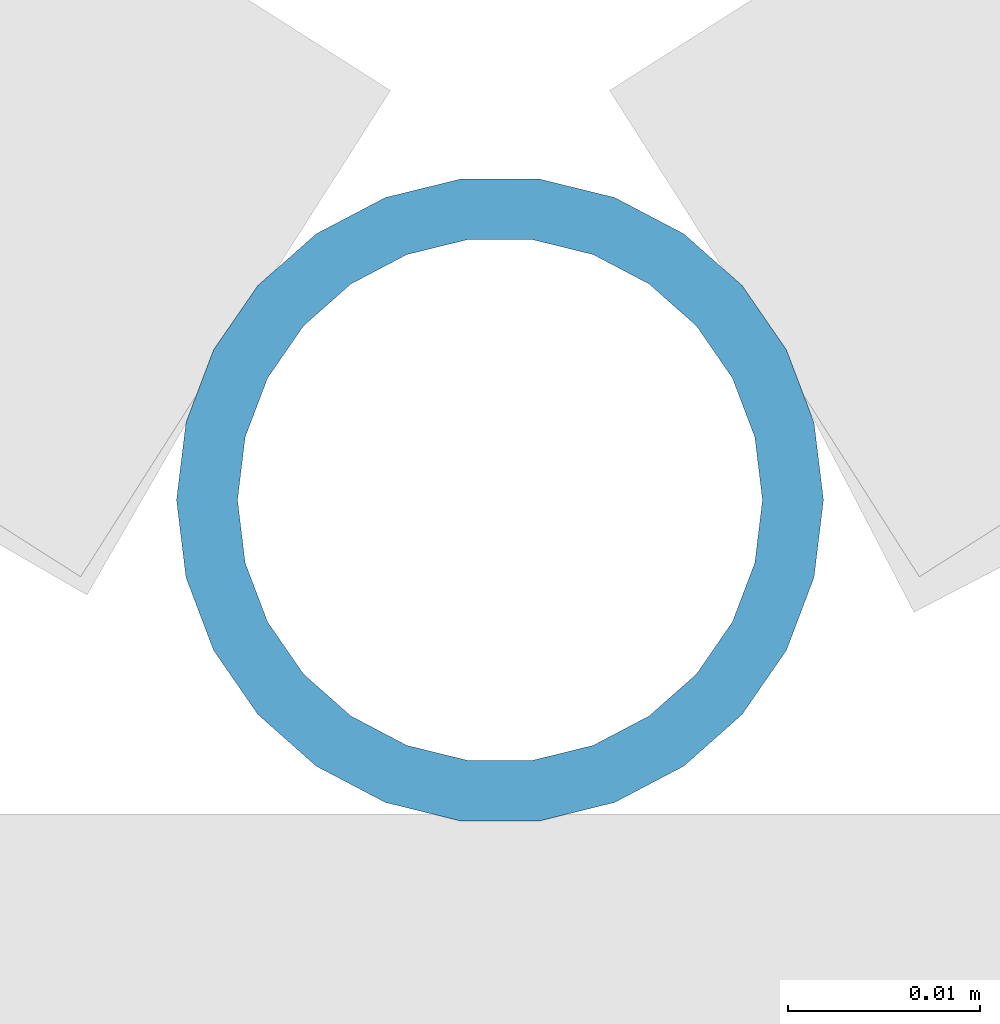
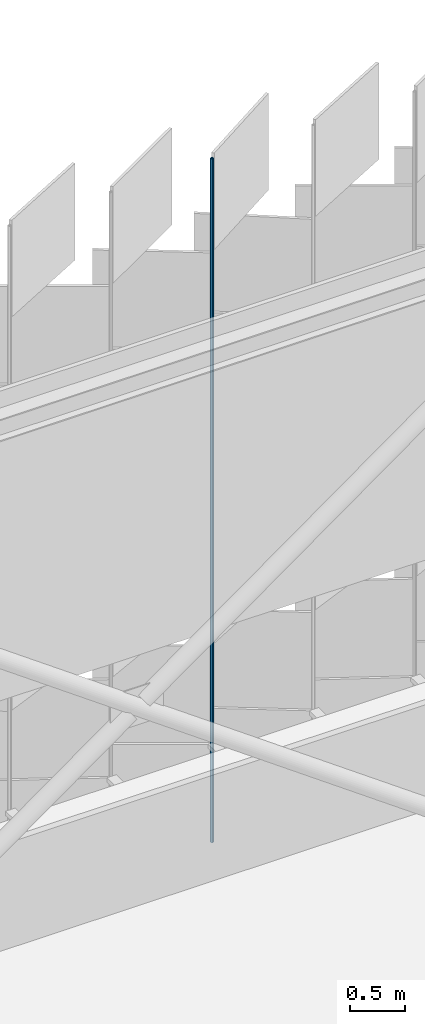
# One storey, part 373 of 483: 1 discrete accessory.
"""IFC4 building model written with IfcOpenShell, lengths in metres."""

from ifc_helpers import new_model, si_unit, direction, frame, origin, origin_2d, place, context, subcontext, project, spatial, hollow_circle, extrude, material, material_profile, profile_set, type_object, element, save


model = new_model("IFC4")

# Units and contexts
model_context = context("Model", 3, precision=1e-05, world=origin(), true_north=direction((0.0, 1.0)))
body_context = subcontext(model_context, "Body", "Model", "MODEL_VIEW")
ifc_project = project(units=[si_unit("LENGTHUNIT", "METRE"), si_unit("AREAUNIT", "SQUARE_METRE"), si_unit("VOLUMEUNIT", "CUBIC_METRE"), si_unit("PLANEANGLEUNIT", "RADIAN"), si_unit("MASSUNIT", "GRAM", prefix="KILO")], contexts=[model_context])

# Site, building, storey
site_placement = place(None, origin())
site = spatial("IfcSite", under=ifc_project, at=site_placement, CompositionType="ELEMENT")
building_placement = place(site_placement, origin())
building = spatial("IfcBuilding", under=site, at=building_placement, Name="Parallax Yard Mobility Hub", CompositionType="ELEMENT")
storey_placement = place(building_placement, frame((0.0, 0.0, 13.199951171875)))
storey = spatial("IfcBuildingStorey", under=building, at=storey_placement, Name="L04", CompositionType="ELEMENT", Elevation=13.199951171875)

# Discrete accessory
ifc_material = material(Name="Steel ASTM A500 Gr C, hot-dip galvanised", Category="steel")
ifc_material_profile = material_profile(ifc_material, hollow_circle(Radius=0.016845703125, WallThickness=0.003173828125, at=origin_2d()), Name="CHS 33.7x3.2")
ifc_profile_set = profile_set([ifc_material_profile], Name="Steel ASTM A500 Gr C, hot-dip galvanised")
discrete_accessory_type = type_object("IfcDiscreteAccessoryType", Name="Hinge post CHS 33.7x3.2", PredefinedType="BRACKET", material=ifc_profile_set)
discrete_accessory_placement = place(storey_placement, frame((155.35693359375, 142.800048828125, 0.0), z_axis=(0.0, 0.0, 1.0), x_axis=(1.0, 0.0, 0.0)))
element("IfcDiscreteAccessory", 1, at=discrete_accessory_placement, inside=storey, type_object=discrete_accessory_type, Name="Hinge post bay 53.3 level L04", PredefinedType="BRACKET", context=body_context, shape_type="SweptSolid", body=[
    extrude(hollow_circle(Radius=0.016845703125, WallThickness=0.003173828125, at=origin_2d()), origin(), (0.0, 0.0, 1.0), 7.650146484375),
])

save(model, "model.ifc")
